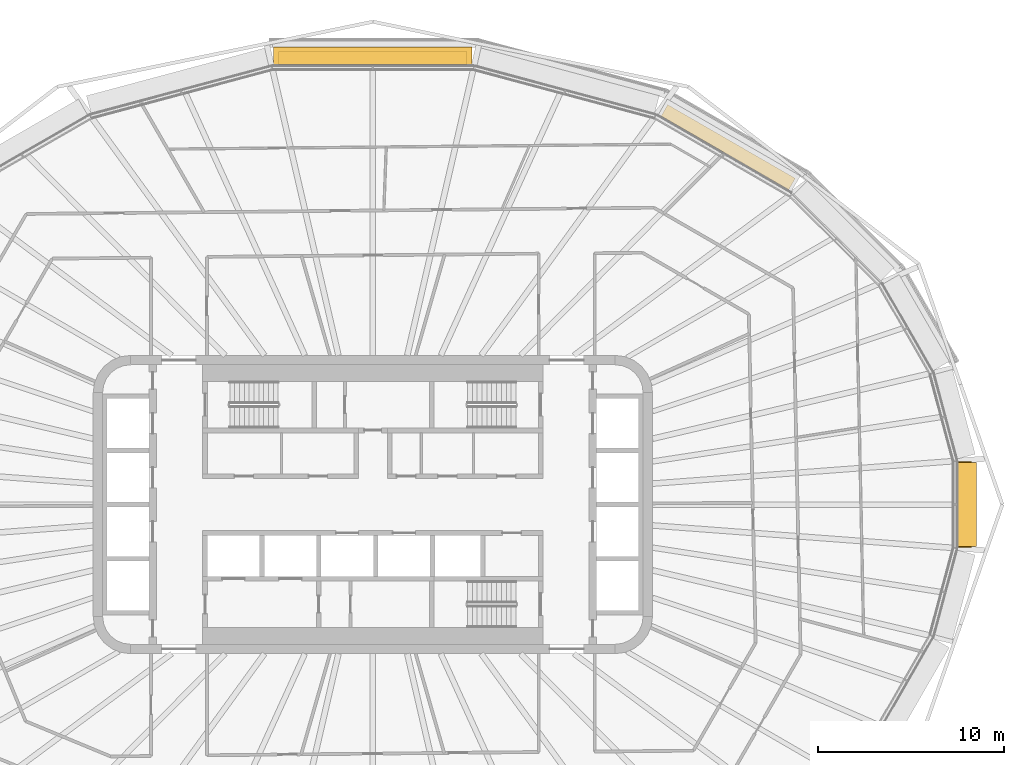
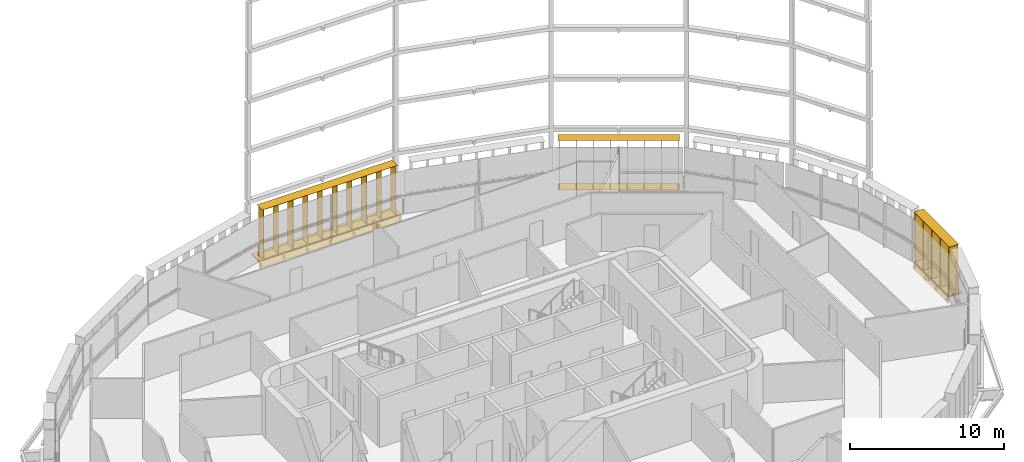
# One storey, part 24 of 24: 5 shading devices.
"""IFC4 building model written with IfcOpenShell, lengths in metres."""

import ifcopenshell
import ifcopenshell.guid

model = None  # the IFC model being written
_history = None  # IfcOwnerHistory: only IFC2X3 demands one
_inside = {}  # id of a spatial element -> (the spatial element, [elements in it])
_under = {}  # id of a project, library or spatial element -> (it, [spatial elements below it])
_declared = {}  # id of a project -> (the project, [libraries it declares])
_typed = {}  # id of a type object -> (the type object, [elements of that type])
_made_of = {}  # id of a material, layer set ... -> (it, [elements and type objects made of it])


def new_model(schema):
    """Start an empty IFC model of exactly this schema.

    Asked for "IFC4X3", IfcOpenShell would pick the latest addendum, in which some entities
    have other attributes; the version numbers below select the first issue.
    IFC2X3 requires an IfcOwnerHistory on every rooted entity: one is made here for all.
    """
    global model, _history
    if schema == "IFC4X3":
        model = ifcopenshell.file(schema_version=(4, 3, 0, 0))
    else:
        model = ifcopenshell.file(schema=schema)
    _inside.clear()
    _under.clear()
    _declared.clear()
    _typed.clear()
    _made_of.clear()
    _history = None
    if model.schema == "IFC2X3":
        org = make("IfcOrganization", Name="unknown")
        user = make(
            "IfcPersonAndOrganization",
            ThePerson=make("IfcPerson", FamilyName="unknown"),
            TheOrganization=org,
        )
        app = make(
            "IfcApplication",
            ApplicationDeveloper=org,
            Version="unknown",
            ApplicationFullName="unknown",
            ApplicationIdentifier="unknown",
        )
        _history = make(
            "IfcOwnerHistory",
            OwningUser=user,
            OwningApplication=app,
            ChangeAction="ADDED",
            CreationDate=0,
        )
    return model


def make(cls, **values):
    """One entity of the class cls with the attributes given. An attribute that is None is left unset."""
    return model.create_entity(
        cls, **{name: value for name, value in values.items() if value is not None}
    )


def rooted(cls, **values):
    """An entity with a GlobalId (a new one), such as an element, a storey or a relation."""
    return make(cls, GlobalId=ifcopenshell.guid.new(), OwnerHistory=_history, **values)


def si_unit(unit_type, name, prefix=None):
    """IfcSIUnit, for example si_unit("LENGTHUNIT", "METRE", prefix="MILLI")."""
    return make("IfcSIUnit", UnitType=unit_type, Prefix=prefix, Name=name)


def assignment(units):
    """IfcUnitAssignment: the units of a project."""
    return None if units is None else make("IfcUnitAssignment", Units=units)


def point(xyz):
    """IfcCartesianPoint."""
    return None if xyz is None else make("IfcCartesianPoint", Coordinates=xyz)


def direction(xyz):
    """IfcDirection."""
    return None if xyz is None else make("IfcDirection", DirectionRatios=xyz)


def frame(location, z_axis=None, x_axis=None):
    """IfcAxis2Placement3D, a coordinate frame: its origin and axes. An axis left out is left unset."""
    return make(
        "IfcAxis2Placement3D",
        Location=point(location),
        Axis=direction(z_axis),
        RefDirection=direction(x_axis),
    )


def frame_2d(location, x_axis=None):
    """IfcAxis2Placement2D, a coordinate frame in the plane: its origin and x axis."""
    return make(
        "IfcAxis2Placement2D", Location=point(location), RefDirection=direction(x_axis)
    )


def origin():
    """The frame at (0, 0, 0) with its axes left unset."""
    return frame((0.0, 0.0, 0.0))


def origin_2d():
    """The frame at (0, 0) in the plane with its x axis left unset."""
    return frame_2d((0.0, 0.0))


def place(relative_to, where):
    """IfcLocalPlacement: puts the frame where relative to a parent placement (None: the world)."""
    return make(
        "IfcLocalPlacement", PlacementRelTo=relative_to, RelativePlacement=where
    )


def context(
    kind, dimensions, precision=None, world=None, true_north=None, identifier=None
):
    """IfcGeometricRepresentationContext, for example the 3D "Model" context."""
    return make(
        "IfcGeometricRepresentationContext",
        ContextIdentifier=identifier,
        ContextType=kind,
        CoordinateSpaceDimension=dimensions,
        Precision=precision,
        WorldCoordinateSystem=world,
        TrueNorth=true_north,
    )


def subcontext(parent, identifier, kind, view, scale=None):
    """IfcGeometricRepresentationSubContext, for example "Body" below "Model"."""
    return make(
        "IfcGeometricRepresentationSubContext",
        ContextIdentifier=identifier,
        ContextType=kind,
        ParentContext=parent,
        TargetScale=scale,
        TargetView=view,
    )


def project(units=None, contexts=None):
    """IfcProject with its units and contexts."""
    return rooted(
        "IfcProject",
        Name="project",
        RepresentationContexts=contexts,
        UnitsInContext=assignment(units),
    )


def spatial(cls, under=None, at=None, **own):
    """A site, building, storey or space (cls), placed at a placement, below another one or the project."""
    s = rooted(cls, ObjectPlacement=at, **own)
    if under is not None:
        _under.setdefault(under.id(), (under, []))[1].append(s)
    return s


def profile(cls, at=None, kind="AREA", **sizes):
    """A parametric profile (cls). Its sizes go by their IFC names, for example OverallWidth=200.0."""
    return make(cls, ProfileType=kind, Position=at, **sizes)


def rectangle(**sizes):
    """IfcRectangleProfileDef."""
    return profile("IfcRectangleProfileDef", **sizes)


def extrude(swept, where, along, depth):
    """IfcExtrudedAreaSolid: the profile swept, set in the frame where, extruded along a direction by depth."""
    return make(
        "IfcExtrudedAreaSolid",
        SweptArea=swept,
        Position=where,
        ExtrudedDirection=direction(along),
        Depth=depth,
    )


def shape(context_of_items, identifier, shape_type, items):
    """IfcShapeRepresentation: the items that make up one representation, for example the "Body"."""
    return make(
        "IfcShapeRepresentation",
        ContextOfItems=context_of_items,
        RepresentationIdentifier=identifier,
        RepresentationType=shape_type,
        Items=items,
    )


def material(Name=None, Category=None):
    """IfcMaterial."""
    return make("IfcMaterial", Name=Name, Category=Category)


def made_of(thing, what):
    """Note that an element or type object is made of a material, layer set ...; save() writes the relation."""
    if what is not None:
        _made_of.setdefault(what.id(), (what, []))[1].append(thing)
    return thing


def type_object(cls, material=None, **own):
    """A type object (cls), such as IfcWallType, which elements share."""
    return made_of(rooted(cls, **own), material)


def element(
    cls,
    number,
    at=None,
    inside=None,
    cuts=None,
    type_object=None,
    material=None,
    context=None,
    identifier="Body",
    shape_type=None,
    held_by="IfcProductDefinitionShape",
    body=None,
    shapes=None,
    **own,
):
    """One element of the class cls, such as IfcWall. Its Tag is "e" and its number.

    at: its placement. inside: the storey or other place that contains it. cuts: it is an
    opening in that element (IfcRelVoidsElement). A single representation is given by context,
    identifier, shape_type and body (its items); several are given by shapes. held_by: the class
    of the entity that holds the representations. save() writes the other relations.
    """
    e = rooted(cls, Tag="e%d" % number, ObjectPlacement=at, **own)
    if body is not None:
        shapes = [shape(context, identifier, shape_type, body)]
    if shapes is not None:
        e.Representation = make(held_by, Representations=shapes)
    if inside is not None:
        _inside.setdefault(inside.id(), (inside, []))[1].append(e)
    if cuts is not None:
        rooted(
            "IfcRelVoidsElement", RelatingBuildingElement=cuts, RelatedOpeningElement=e
        )
    if type_object is not None:
        _typed.setdefault(type_object.id(), (type_object, []))[1].append(e)
    return made_of(e, material)


def aggregate(whole, parts):
    """IfcRelAggregates: a whole, such as a stair, and the parts it consists of."""
    return rooted("IfcRelAggregates", RelatingObject=whole, RelatedObjects=parts)


def save(model, path):
    """Write the relations noted so far, then the file.

    IfcRelAggregates (storeys below a building ...), IfcRelContainedInSpatialStructure (elements
    in a storey), IfcRelDefinesByType, IfcRelAssociatesMaterial and IfcRelDeclares: one each for
    every whole, place, type object, material and project.
    """
    for whole, parts in _under.values():
        aggregate(whole, parts)
    for where, things in _inside.values():
        rooted(
            "IfcRelContainedInSpatialStructure",
            RelatedElements=things,
            RelatingStructure=where,
        )
    for kind, things in _typed.values():
        rooted("IfcRelDefinesByType", RelatedObjects=things, RelatingType=kind)
    for what, things in _made_of.values():
        rooted("IfcRelAssociatesMaterial", RelatedObjects=things, RelatingMaterial=what)
    for by, libraries in _declared.values():
        rooted("IfcRelDeclares", RelatingContext=by, RelatedDefinitions=libraries)
    model.write(path)


model = new_model("IFC4")

# Units and contexts
model_context = context("Model", 3, precision=1e-05, world=origin(), true_north=direction((0.0, 1.0)))
body_context = subcontext(model_context, "Body", "Model", "MODEL_VIEW")
ifc_project = project(units=[si_unit("LENGTHUNIT", "METRE"), si_unit("AREAUNIT", "SQUARE_METRE"), si_unit("VOLUMEUNIT", "CUBIC_METRE"), si_unit("PLANEANGLEUNIT", "RADIAN"), si_unit("MASSUNIT", "GRAM", prefix="KILO")], contexts=[model_context])

# Site, building, storey
site_placement = place(None, origin())
site = spatial("IfcSite", under=ifc_project, at=site_placement, CompositionType="ELEMENT")
building_placement = place(site_placement, origin())
building = spatial("IfcBuilding", under=site, at=building_placement, Name="Sahrelin Media Tower", CompositionType="ELEMENT")
storey_placement = place(building_placement, frame((0.0, 0.0, 153.60009765625)))
storey = spatial("IfcBuildingStorey", under=building, at=storey_placement, Name="L31", CompositionType="ELEMENT", Elevation=153.60009765625)

# Shading devices
ifc_material = material(Name="Champagne anodised aluminium 6063-T6", Category="aluminium")
shading_device_type_1 = type_object("IfcShadingDeviceType", Name="Fin cassette", PredefinedType="USERDEFINED", material=ifc_material)
placement_1 = place(storey_placement, frame((31.3515625, 0.0, 0.0), z_axis=(0.0, 0.0, 1.0), x_axis=(0.0, -1.0, 0.0)))
element("IfcShadingDevice", 1, at=placement_1, inside=storey, type_object=shading_device_type_1, Name="L31:FIN:L31-00", ObjectType="FIN", PredefinedType="USERDEFINED", context=body_context, shape_type="SweptSolid", body=[
    extrude(rectangle(XDim=4.60009765625, YDim=0.699951171875, at=origin_2d()), frame((0.0, 0.419921875, 0.0)), (0.0, 0.0, 1.0), 0.02001953125),
    extrude(rectangle(XDim=4.60009765625, YDim=0.699951171875, at=origin_2d()), frame((0.0, 0.419921875, 3.89990234375)), (0.0, 0.0, 1.0), 0.02001953125),
    extrude(rectangle(XDim=0.02001953125, YDim=0.699951171875, at=origin_2d()), frame((-2.199951171875, 0.419921875, 0.010009765625), z_axis=(0.0, 0.0, 1.0), x_axis=(1.0, 0.0, 0.0)), (0.0, 0.0, 1.0), 3.89990234375),
    extrude(rectangle(XDim=0.02001953125, YDim=0.699951171875, at=origin_2d()), frame((-1.10009765625, 0.419921875, 0.010009765625), z_axis=(0.0, 0.0, 1.0), x_axis=(1.0, 0.0, 0.0)), (0.0, 0.0, 1.0), 3.89990234375),
    extrude(rectangle(XDim=0.02001953125, YDim=0.699951171875, at=origin_2d()), frame((0.0, 0.419921875, 0.010009765625), z_axis=(0.0, 0.0, 1.0), x_axis=(1.0, 0.0, 0.0)), (0.0, 0.0, 1.0), 3.89990234375),
    extrude(rectangle(XDim=0.02001953125, YDim=0.699951171875, at=origin_2d()), frame((1.10009765625, 0.419921875, 0.010009765625), z_axis=(0.0, 0.0, 1.0), x_axis=(1.0, 0.0, 0.0)), (0.0, 0.0, 1.0), 3.89990234375),
    extrude(rectangle(XDim=0.02001953125, YDim=0.699951171875, at=origin_2d()), frame((2.199951171875, 0.419921875, 0.010009765625), z_axis=(0.0, 0.0, 1.0), x_axis=(1.0, 0.0, 0.0)), (0.0, 0.0, 1.0), 3.89990234375),
])
shading_device_2_placement = place(storey_placement, frame((18.85107421875, 18.804931640625, 0.0), z_axis=(0.0, 0.0, 1.0), x_axis=(0.866019052629, -0.500011000363, 0.0)))
element("IfcShadingDevice", 2, at=shading_device_2_placement, inside=storey, type_object=shading_device_type_1, Name="L31:FIN:L31-04", ObjectType="FIN", PredefinedType="USERDEFINED", context=body_context, shape_type="SweptSolid", body=[
    extrude(rectangle(XDim=7.89990234375, YDim=0.699951171875, at=origin_2d()), frame((0.0, 0.419921875, 0.0)), (0.0, 0.0, 1.0), 0.02001953125),
    extrude(rectangle(XDim=7.89990234375, YDim=0.699951171875, at=origin_2d()), frame((0.0, 0.419921875, 3.89990234375)), (0.0, 0.0, 1.0), 0.02001953125),
    extrude(rectangle(XDim=0.02001953125, YDim=0.699951171875, at=origin_2d()), frame((-3.85009765625, 0.419921875, 0.010009765625), z_axis=(0.0, 0.0, 1.0), x_axis=(1.0, 0.0, 0.0)), (0.0, 0.0, 1.0), 3.89990234375),
    extrude(rectangle(XDim=0.02001953125, YDim=0.699951171875, at=origin_2d()), frame((-2.75, 0.419921875, 0.010009765625), z_axis=(0.0, 0.0, 1.0), x_axis=(1.0, 0.0, 0.0)), (0.0, 0.0, 1.0), 3.89990234375),
    extrude(rectangle(XDim=0.02001953125, YDim=0.699951171875, at=origin_2d()), frame((-1.64990234375, 0.419921875, 0.010009765625), z_axis=(0.0, 0.0, 1.0), x_axis=(1.0, 0.0, 0.0)), (0.0, 0.0, 1.0), 3.89990234375),
    extrude(rectangle(XDim=0.02001953125, YDim=0.699951171875, at=origin_2d()), frame((-0.550048828125, 0.419921875, 0.010009765625), z_axis=(0.0, 0.0, 1.0), x_axis=(1.0, 0.0, 0.0)), (0.0, 0.0, 1.0), 3.89990234375),
    extrude(rectangle(XDim=0.02001953125, YDim=0.699951171875, at=origin_2d()), frame((0.550048828125, 0.419921875, 0.010009765625), z_axis=(0.0, 0.0, 1.0), x_axis=(1.0, 0.0, 0.0)), (0.0, 0.0, 1.0), 3.89990234375),
    extrude(rectangle(XDim=0.02001953125, YDim=0.699951171875, at=origin_2d()), frame((1.64990234375, 0.419921875, 0.010009765625), z_axis=(0.0, 0.0, 1.0), x_axis=(1.0, 0.0, 0.0)), (0.0, 0.0, 1.0), 3.89990234375),
    extrude(rectangle(XDim=0.02001953125, YDim=0.699951171875, at=origin_2d()), frame((2.75, 0.419921875, 0.010009765625), z_axis=(0.0, 0.0, 1.0), x_axis=(1.0, 0.0, 0.0)), (0.0, 0.0, 1.0), 3.89990234375),
    extrude(rectangle(XDim=0.02001953125, YDim=0.699951171875, at=origin_2d()), frame((3.85009765625, 0.419921875, 0.010009765625), z_axis=(0.0, 0.0, 1.0), x_axis=(1.0, 0.0, 0.0)), (0.0, 0.0, 1.0), 3.89990234375),
])
placement_2 = place(storey_placement, frame((0.0, 23.532470703125, 0.0), z_axis=(0.0, 0.0, 1.0), x_axis=(1.0, 0.0, 0.0)))
element("IfcShadingDevice", 3, at=placement_2, inside=storey, type_object=shading_device_type_1, Name="L31:FIN:L31-06", ObjectType="FIN", PredefinedType="USERDEFINED", context=body_context, shape_type="SweptSolid", body=[
    extrude(rectangle(XDim=10.10009765625, YDim=0.699951171875, at=origin_2d()), frame((0.0, 0.419921875, 0.0)), (0.0, 0.0, 1.0), 0.02001953125),
    extrude(rectangle(XDim=10.10009765625, YDim=0.699951171875, at=origin_2d()), frame((0.0, 0.419921875, 3.89990234375)), (0.0, 0.0, 1.0), 0.02001953125),
    extrude(rectangle(XDim=0.02001953125, YDim=0.699951171875, at=origin_2d()), frame((-4.949951171875, 0.419921875, 0.010009765625), z_axis=(0.0, 0.0, 1.0), x_axis=(1.0, 0.0, 0.0)), (0.0, 0.0, 1.0), 3.89990234375),
    extrude(rectangle(XDim=0.02001953125, YDim=0.699951171875, at=origin_2d()), frame((-3.85009765625, 0.419921875, 0.010009765625), z_axis=(0.0, 0.0, 1.0), x_axis=(1.0, 0.0, 0.0)), (0.0, 0.0, 1.0), 3.89990234375),
    extrude(rectangle(XDim=0.02001953125, YDim=0.699951171875, at=origin_2d()), frame((-2.75, 0.419921875, 0.010009765625), z_axis=(0.0, 0.0, 1.0), x_axis=(1.0, 0.0, 0.0)), (0.0, 0.0, 1.0), 3.89990234375),
    extrude(rectangle(XDim=0.02001953125, YDim=0.699951171875, at=origin_2d()), frame((-1.64990234375, 0.419921875, 0.010009765625), z_axis=(0.0, 0.0, 1.0), x_axis=(1.0, 0.0, 0.0)), (0.0, 0.0, 1.0), 3.89990234375),
    extrude(rectangle(XDim=0.02001953125, YDim=0.699951171875, at=origin_2d()), frame((-0.550048828125, 0.419921875, 0.010009765625), z_axis=(0.0, 0.0, 1.0), x_axis=(1.0, 0.0, 0.0)), (0.0, 0.0, 1.0), 3.89990234375),
    extrude(rectangle(XDim=0.02001953125, YDim=0.699951171875, at=origin_2d()), frame((0.550048828125, 0.419921875, 0.010009765625), z_axis=(0.0, 0.0, 1.0), x_axis=(1.0, 0.0, 0.0)), (0.0, 0.0, 1.0), 3.89990234375),
    extrude(rectangle(XDim=0.02001953125, YDim=0.699951171875, at=origin_2d()), frame((1.64990234375, 0.419921875, 0.010009765625), z_axis=(0.0, 0.0, 1.0), x_axis=(1.0, 0.0, 0.0)), (0.0, 0.0, 1.0), 3.89990234375),
    extrude(rectangle(XDim=0.02001953125, YDim=0.699951171875, at=origin_2d()), frame((2.75, 0.419921875, 0.010009765625), z_axis=(0.0, 0.0, 1.0), x_axis=(1.0, 0.0, 0.0)), (0.0, 0.0, 1.0), 3.89990234375),
    extrude(rectangle(XDim=0.02001953125, YDim=0.699951171875, at=origin_2d()), frame((3.85009765625, 0.419921875, 0.010009765625), z_axis=(0.0, 0.0, 1.0), x_axis=(1.0, 0.0, 0.0)), (0.0, 0.0, 1.0), 3.89990234375),
    extrude(rectangle(XDim=0.02001953125, YDim=0.699951171875, at=origin_2d()), frame((4.949951171875, 0.419921875, 0.010009765625), z_axis=(0.0, 0.0, 1.0), x_axis=(1.0, 0.0, 0.0)), (0.0, 0.0, 1.0), 3.89990234375),
])
shading_device_type_2 = type_object("IfcShadingDeviceType", Name="Sunshade band", PredefinedType="USERDEFINED", material=ifc_material)
element("IfcShadingDevice", 4, at=placement_1, inside=storey, type_object=shading_device_type_2, Name="L31:SUN:L31-00", ObjectType="SUNSHADE", PredefinedType="USERDEFINED", context=body_context, shape_type="SweptSolid", body=[
    extrude(rectangle(XDim=4.486083984375, YDim=0.050048828125, at=origin_2d()), frame((0.0, 0.044921875, -0.55126953125)), (0.0, 0.0, 1.0), 0.471435546875),
    extrude(rectangle(XDim=4.486083984375, YDim=1.0, at=origin_2d()), frame((0.0, 0.52001953125, -0.080078125)), (0.0, 0.0, 1.0), 0.080078125),
    extrude(rectangle(XDim=0.10009765625, YDim=0.074951171875, at=origin_2d()), frame((-2.14306640625, -0.017578125, -0.47021484375)), (0.0, 0.0, 1.0), 0.300048828125),
    extrude(rectangle(XDim=0.10009765625, YDim=0.074951171875, at=origin_2d()), frame((-0.71435546875, -0.017578125, -0.47021484375)), (0.0, 0.0, 1.0), 0.300048828125),
    extrude(rectangle(XDim=0.10009765625, YDim=0.074951171875, at=origin_2d()), frame((0.71435546875, -0.017578125, -0.47021484375)), (0.0, 0.0, 1.0), 0.300048828125),
    extrude(rectangle(XDim=0.10009765625, YDim=0.074951171875, at=origin_2d()), frame((2.14306640625, -0.017578125, -0.47021484375)), (0.0, 0.0, 1.0), 0.300048828125),
])
element("IfcShadingDevice", 5, at=placement_2, inside=storey, type_object=shading_device_type_2, Name="L31:SUN:L31-06", ObjectType="SUNSHADE", PredefinedType="USERDEFINED", context=body_context, shape_type="SweptSolid", body=[
    extrude(rectangle(XDim=10.656494140625, YDim=0.050048828125, at=origin_2d()), frame((0.0, 0.044921875, -0.55126953125)), (0.0, 0.0, 1.0), 0.471435546875),
    extrude(rectangle(XDim=10.656494140625, YDim=1.0, at=origin_2d()), frame((0.0, 0.52001953125, -0.080078125)), (0.0, 0.0, 1.0), 0.080078125),
    extrude(rectangle(XDim=0.10009765625, YDim=0.074951171875, at=origin_2d()), frame((-5.228271484375, -0.017578125, -0.47021484375)), (0.0, 0.0, 1.0), 0.300048828125),
    extrude(rectangle(XDim=0.10009765625, YDim=0.074951171875, at=origin_2d()), frame((-3.485595703125, -0.017578125, -0.47021484375)), (0.0, 0.0, 1.0), 0.300048828125),
    extrude(rectangle(XDim=0.10009765625, YDim=0.074951171875, at=origin_2d()), frame((-1.74267578125, -0.017578125, -0.47021484375)), (0.0, 0.0, 1.0), 0.300048828125),
    extrude(rectangle(XDim=0.10009765625, YDim=0.074951171875, at=origin_2d()), frame((0.0, -0.017578125, -0.47021484375)), (0.0, 0.0, 1.0), 0.300048828125),
    extrude(rectangle(XDim=0.10009765625, YDim=0.074951171875, at=origin_2d()), frame((1.74267578125, -0.017578125, -0.47021484375)), (0.0, 0.0, 1.0), 0.300048828125),
    extrude(rectangle(XDim=0.10009765625, YDim=0.074951171875, at=origin_2d()), frame((3.485595703125, -0.017578125, -0.47021484375)), (0.0, 0.0, 1.0), 0.300048828125),
    extrude(rectangle(XDim=0.10009765625, YDim=0.074951171875, at=origin_2d()), frame((5.228271484375, -0.017578125, -0.47021484375)), (0.0, 0.0, 1.0), 0.300048828125),
])

save(model, "model.ifc")
